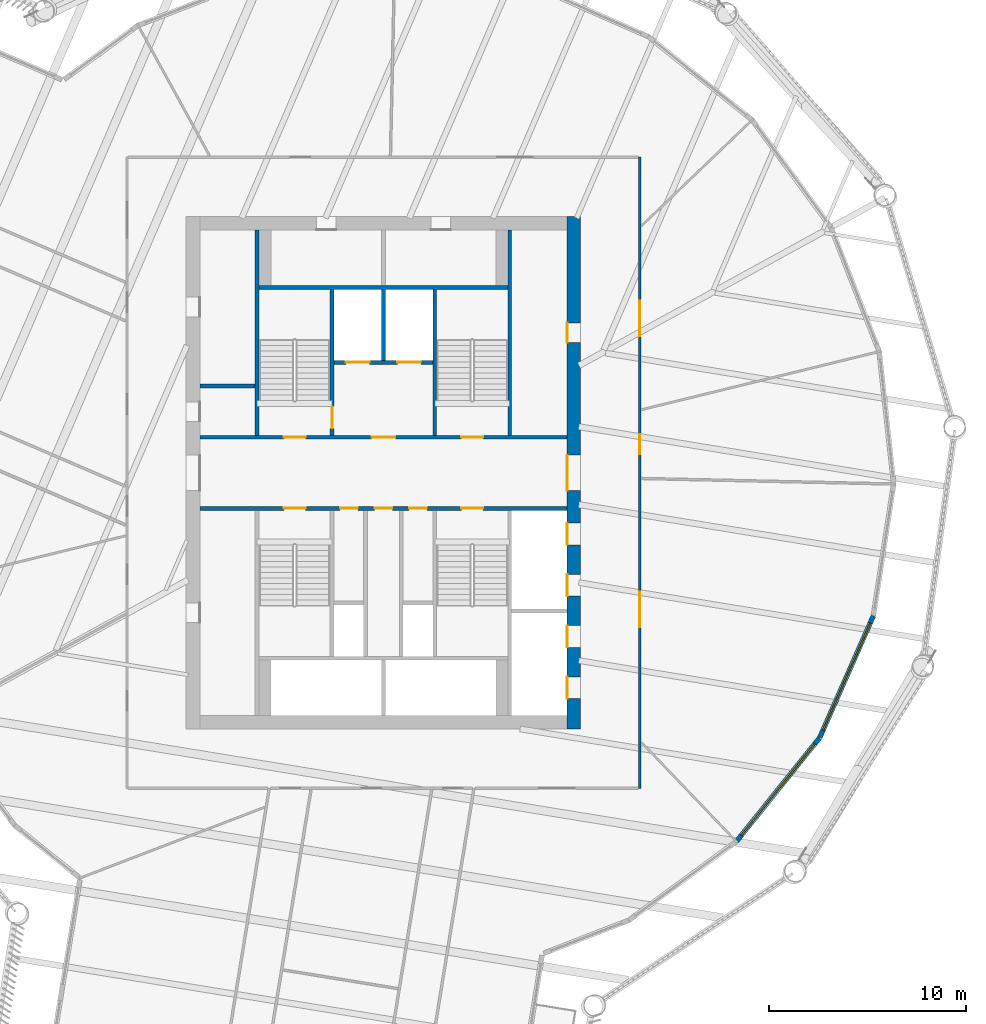
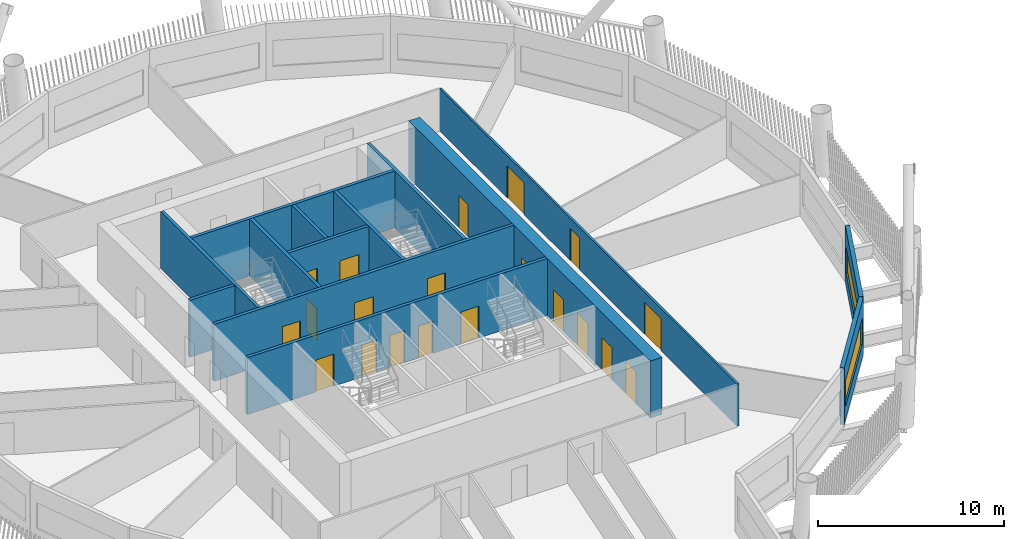
# One storey, part 5 of 22: 20 doors, 14 walls, 2 windows, 22 openings.
"""IFC4 building model written with IfcOpenShell, lengths in metres."""

from ifc_helpers import new_model, si_unit, direction, frame, frame_2d, origin, place, context, subcontext, project, spatial, rectangle, extrude, material, layer, layer_set, type_object, element, fill, save


model = new_model("IFC4")

# Units and contexts
model_context = context("Model", 3, precision=1e-05, world=origin(), true_north=direction((0.0, 1.0)))
body_context = subcontext(model_context, "Body", "Model", "MODEL_VIEW")
ifc_project = project(units=[si_unit("LENGTHUNIT", "METRE"), si_unit("AREAUNIT", "SQUARE_METRE"), si_unit("VOLUMEUNIT", "CUBIC_METRE"), si_unit("PLANEANGLEUNIT", "RADIAN"), si_unit("MASSUNIT", "GRAM", prefix="KILO")], contexts=[model_context])

# Site, building, storey
site_placement = place(None, origin())
site = spatial("IfcSite", under=ifc_project, at=site_placement, CompositionType="ELEMENT")
building_placement = place(site_placement, origin())
building = spatial("IfcBuilding", under=site, at=building_placement, Name="Tarsis Ring Headquarters", CompositionType="ELEMENT")
storey_placement = place(building_placement, frame((0.0, 0.0, 186.60009765625)))
storey = spatial("IfcBuildingStorey", under=building, at=storey_placement, Name="L43", CompositionType="ELEMENT", Elevation=186.60009765625)

# Wall
ifc_material_1 = material(Name="Blockwork", Category="masonry")
ifc_layer_1 = layer(ifc_material_1, 0.199951171875)
ifc_layer_set_1 = layer_set([ifc_layer_1], Name="Core blockwork wall 200")
wall_type_1 = type_object("IfcWallType", Name="Core blockwork wall 200", PredefinedType="PARTITIONING", material=ifc_layer_set_1)
wall_1_placement = place(storey_placement, frame((-9.300048828125, 4.39990234375, 0.0), z_axis=(0.0, 0.0, 1.0), x_axis=(1.0, 0.0, 0.0)))
element("IfcWall", 1, at=wall_1_placement, inside=storey, type_object=wall_type_1, Name="Core partition WD5", PredefinedType="PARTITIONING", context=body_context, shape_type="SweptSolid", body=[
    extrude(rectangle(XDim=2.800048828125, YDim=0.199951171875, at=frame_2d((1.39990234375, 0.0))), origin(), (0.0, 0.0, 1.0), 3.739990234375),
])

# Wall, openings, doors
ifc_material_2 = material(Name="Concrete C60/75", Category="concrete")
ifc_layer_2 = layer(ifc_material_2, 0.699951171875)
ifc_layer_set_2 = layer_set([ifc_layer_2], Name="Core wall 700 C60/75")
wall_type_2 = type_object("IfcWallType", Name="Core wall 700 C60/75", PredefinedType="SHEAR", material=ifc_layer_set_2)
wall_2_placement = place(storey_placement, frame((9.64990234375, -13.0, 0.0), z_axis=(0.0, 0.0, 1.0), x_axis=(0.0, 1.0, 0.0)))
wall_2 = element("IfcWall", 2, at=wall_2_placement, inside=storey, type_object=wall_type_2, Name="Core wall OE", PredefinedType="SHEAR", context=body_context, shape_type="SweptSolid", body=[
    extrude(rectangle(XDim=26.0, YDim=0.699951171875, at=frame_2d((13.0, 0.0))), origin(), (0.0, 0.0, 1.0), 3.739990234375),
])
opening_1_placement = place(wall_2_placement, frame((1.550048828125, 0.0, 0.0)))
opening_1 = element("IfcOpeningElement", 3, at=opening_1_placement, cuts=wall_2, Name="Opening LD-MR1", PredefinedType="OPENING", context=body_context, shape_type="SweptSolid", body=[
    extrude(rectangle(XDim=1.10009765625, YDim=2.10009765625, at=frame_2d((0.550048828125, 1.050048828125))), frame((0.0, 0.35986328125, 0.0), z_axis=(0.0, -1.0, 0.0), x_axis=(1.0, 0.0, 0.0)), (0.0, 0.0, 1.0), 0.719970703125),
])
opening_2_placement = place(wall_2_placement, frame((4.14990234375, 0.0, 0.0)))
opening_2 = element("IfcOpeningElement", 4, at=opening_2_placement, cuts=wall_2, Name="Opening LD-MR2", PredefinedType="OPENING", context=body_context, shape_type="SweptSolid", body=[
    extrude(rectangle(XDim=1.10009765625, YDim=2.10009765625, at=frame_2d((0.550048828125, 1.050048828125))), frame((0.0, 0.35986328125, 0.0), z_axis=(0.0, -1.0, 0.0), x_axis=(1.0, 0.0, 0.0)), (0.0, 0.0, 1.0), 0.719970703125),
])
opening_3_placement = place(wall_2_placement, frame((6.75, 0.0, 0.0)))
opening_3 = element("IfcOpeningElement", 5, at=opening_3_placement, cuts=wall_2, Name="Opening LD-MR3", PredefinedType="OPENING", context=body_context, shape_type="SweptSolid", body=[
    extrude(rectangle(XDim=1.10009765625, YDim=2.10009765625, at=frame_2d((0.550048828125, 1.050048828125))), frame((0.0, 0.35986328125, 0.0), z_axis=(0.0, -1.0, 0.0), x_axis=(1.0, 0.0, 0.0)), (0.0, 0.0, 1.0), 0.719970703125),
])
opening_4_placement = place(wall_2_placement, frame((9.35009765625, 0.0, 0.0)))
opening_4 = element("IfcOpeningElement", 6, at=opening_4_placement, cuts=wall_2, Name="Opening LD-MR4", PredefinedType="OPENING", context=body_context, shape_type="SweptSolid", body=[
    extrude(rectangle(XDim=1.10009765625, YDim=2.10009765625, at=frame_2d((0.550048828125, 1.050048828125))), frame((0.0, 0.35986328125, 0.0), z_axis=(0.0, -1.0, 0.0), x_axis=(1.0, 0.0, 0.0)), (0.0, 0.0, 1.0), 0.719970703125),
])
opening_5_placement = place(wall_2_placement, frame((12.10009765625, 0.0, 0.0)))
opening_5 = element("IfcOpeningElement", 7, at=opening_5_placement, cuts=wall_2, Name="Opening L43-C09", PredefinedType="OPENING", context=body_context, shape_type="SweptSolid", body=[
    extrude(rectangle(XDim=1.800048828125, YDim=2.10009765625, at=frame_2d((0.89990234375, 1.050048828125))), frame((0.0, 0.35986328125, 0.0), z_axis=(0.0, -1.0, 0.0), x_axis=(1.0, 0.0, 0.0)), (0.0, 0.0, 1.0), 0.719970703125),
])
opening_6_placement = place(wall_2_placement, frame((19.60009765625, 0.0, 0.0)))
opening_6 = element("IfcOpeningElement", 8, at=opening_6_placement, cuts=wall_2, Name="Opening L43-C10", PredefinedType="OPENING", context=body_context, shape_type="SweptSolid", body=[
    extrude(rectangle(XDim=1.0, YDim=2.10009765625, at=frame_2d((0.5, 1.050048828125))), frame((0.0, 0.35986328125, 0.0), z_axis=(0.0, -1.0, 0.0), x_axis=(1.0, 0.0, 0.0)), (0.0, 0.0, 1.0), 0.719970703125),
])
ifc_material_3 = material(Name="Steel S355", Category="steel")
door_type_1 = type_object("IfcDoorType", Name="Core entry door 1800x2100", OperationType="DOUBLE_DOOR_SINGLE_SWING", PredefinedType="DOOR", material=ifc_material_3)
door_1_placement = place(opening_5_placement, origin())
door_1 = element("IfcDoor", 9, at=door_1_placement, inside=storey, type_object=door_type_1, Name="Core entry door L43", OperationType="DOUBLE_DOOR_SINGLE_SWING", OverallHeight=2.10009765625, OverallWidth=1.800048828125, PredefinedType="DOOR", context=body_context, shape_type="SweptSolid", body=[
    extrude(rectangle(XDim=1.800048828125, YDim=2.10009765625, at=frame_2d((0.89990234375, 1.050048828125))), frame((0.0, 0.35009765625, 0.0), z_axis=(0.0, -1.0, 0.0), x_axis=(1.0, 0.0, 0.0)), (0.0, 0.0, 1.0), 0.050048828125),
])
fill(opening_5, door_1)
door_type_2 = type_object("IfcDoorType", Name="Core room door 1000x2100", OperationType="SINGLE_SWING_LEFT", PredefinedType="DOOR", material=ifc_material_3)
door_2_placement = place(opening_6_placement, origin())
door_2 = element("IfcDoor", 10, at=door_2_placement, inside=storey, type_object=door_type_2, Name="Core room door L43", OperationType="SINGLE_SWING_LEFT", OverallHeight=2.10009765625, OverallWidth=1.0, PredefinedType="DOOR", context=body_context, shape_type="SweptSolid", body=[
    extrude(rectangle(XDim=1.0, YDim=2.10009765625, at=frame_2d((0.5, 1.050048828125))), frame((0.0, 0.35009765625, 0.0), z_axis=(0.0, -1.0, 0.0), x_axis=(1.0, 0.0, 0.0)), (0.0, 0.0, 1.0), 0.050048828125),
])
fill(opening_6, door_2)
door_type_3 = type_object("IfcDoorType", Name="Landing door 1100x2100", OperationType="SLIDING_TO_LEFT", PredefinedType="DOOR", material=ifc_material_3)
door_3_placement = place(opening_1_placement, origin())
door_3 = element("IfcDoor", 11, at=door_3_placement, inside=storey, type_object=door_type_3, Name="Landing door MR1 L43", OperationType="SLIDING_TO_LEFT", OverallHeight=2.10009765625, OverallWidth=1.10009765625, PredefinedType="DOOR", context=body_context, shape_type="SweptSolid", body=[
    extrude(rectangle(XDim=1.10009765625, YDim=2.10009765625, at=frame_2d((0.550048828125, 1.050048828125))), frame((0.0, 0.35009765625, 0.0), z_axis=(0.0, -1.0, 0.0), x_axis=(1.0, 0.0, 0.0)), (0.0, 0.0, 1.0), 0.050048828125),
])
fill(opening_1, door_3)
door_4_placement = place(opening_2_placement, origin())
door_4 = element("IfcDoor", 12, at=door_4_placement, inside=storey, type_object=door_type_3, Name="Landing door MR2 L43", OperationType="SLIDING_TO_LEFT", OverallHeight=2.10009765625, OverallWidth=1.10009765625, PredefinedType="DOOR", context=body_context, shape_type="SweptSolid", body=[
    extrude(rectangle(XDim=1.10009765625, YDim=2.10009765625, at=frame_2d((0.550048828125, 1.050048828125))), frame((0.0, 0.35009765625, 0.0), z_axis=(0.0, -1.0, 0.0), x_axis=(1.0, 0.0, 0.0)), (0.0, 0.0, 1.0), 0.050048828125),
])
fill(opening_2, door_4)
door_5_placement = place(opening_3_placement, origin())
door_5 = element("IfcDoor", 13, at=door_5_placement, inside=storey, type_object=door_type_3, Name="Landing door MR3 L43", OperationType="SLIDING_TO_LEFT", OverallHeight=2.10009765625, OverallWidth=1.10009765625, PredefinedType="DOOR", context=body_context, shape_type="SweptSolid", body=[
    extrude(rectangle(XDim=1.10009765625, YDim=2.10009765625, at=frame_2d((0.550048828125, 1.050048828125))), frame((0.0, 0.35009765625, 0.0), z_axis=(0.0, -1.0, 0.0), x_axis=(1.0, 0.0, 0.0)), (0.0, 0.0, 1.0), 0.050048828125),
])
fill(opening_3, door_5)
door_6_placement = place(opening_4_placement, origin())
door_6 = element("IfcDoor", 14, at=door_6_placement, inside=storey, type_object=door_type_3, Name="Landing door MR4 L43", OperationType="SLIDING_TO_LEFT", OverallHeight=2.10009765625, OverallWidth=1.10009765625, PredefinedType="DOOR", context=body_context, shape_type="SweptSolid", body=[
    extrude(rectangle(XDim=1.10009765625, YDim=2.10009765625, at=frame_2d((0.550048828125, 1.050048828125))), frame((0.0, 0.35009765625, 0.0), z_axis=(0.0, -1.0, 0.0), x_axis=(1.0, 0.0, 0.0)), (0.0, 0.0, 1.0), 0.050048828125),
])
fill(opening_4, door_6)

ifc_material_4 = material(Name="Gypsum board on steel studs", Category="steel")
ifc_layer_3 = layer(ifc_material_4, 0.125)
ifc_layer_set_3 = layer_set([ifc_layer_3], Name="FL partition 125 EI 60 H2770")
wall_type_3 = type_object("IfcWallType", Name="FL partition 125 EI 60 H2770", PredefinedType="PARTITIONING", material=ifc_layer_set_3)
wall_3_placement = place(storey_placement, frame((13.0, -15.998046875, 0.0), z_axis=(0.0, 0.0, 1.0), x_axis=(0.0, 1.0, 0.0)))
wall_3 = element("IfcWall", 15, at=wall_3_placement, inside=storey, type_object=wall_type_3, Name="Partition PW1", PredefinedType="PARTITIONING", context=body_context, shape_type="SweptSolid", body=[
    extrude(rectangle(XDim=31.998046875, YDim=0.125, at=frame_2d((15.9990234375, 0.0))), origin(), (0.0, 0.0, 1.0), 2.77001953125),
])
opening_7_placement = place(wall_3_placement, frame((22.90771484375, 0.0, 0.0)))
opening_7 = element("IfcOpeningElement", 16, at=opening_7_placement, cuts=wall_3, Name="Opening D43.06", PredefinedType="OPENING", context=body_context, shape_type="SweptSolid", body=[
    extrude(rectangle(XDim=1.800048828125, YDim=2.10009765625, at=frame_2d((0.89990234375, 1.050048828125))), frame((0.0, 0.072509765625, 0.0), z_axis=(0.0, -1.0, 0.0), x_axis=(1.0, 0.0, 0.0)), (0.0, 0.0, 1.0), 0.14501953125),
])
opening_8_placement = place(wall_3_placement, frame((16.9443359375, 0.0, 0.0)))
opening_8 = element("IfcOpeningElement", 17, at=opening_8_placement, cuts=wall_3, Name="Opening D43.07", PredefinedType="OPENING", context=body_context, shape_type="SweptSolid", body=[
    extrude(rectangle(XDim=1.0, YDim=2.10009765625, at=frame_2d((0.5, 1.050048828125))), frame((0.0, 0.072509765625, 0.0), z_axis=(0.0, -1.0, 0.0), x_axis=(1.0, 0.0, 0.0)), (0.0, 0.0, 1.0), 0.14501953125),
])
opening_9_placement = place(wall_3_placement, frame((8.16259765625, 0.0, 0.0)))
opening_9 = element("IfcOpeningElement", 18, at=opening_9_placement, cuts=wall_3, Name="Opening D43.08", PredefinedType="OPENING", context=body_context, shape_type="SweptSolid", body=[
    extrude(rectangle(XDim=1.800048828125, YDim=2.10009765625, at=frame_2d((0.89990234375, 1.050048828125))), frame((0.0, 0.072509765625, 0.0), z_axis=(0.0, -1.0, 0.0), x_axis=(1.0, 0.0, 0.0)), (0.0, 0.0, 1.0), 0.14501953125),
])
ifc_material_5 = material(Name="Fire-rated timber door leaf in steel frame", Category="steel")
door_type_4 = type_object("IfcDoorType", Name="FL door FD60-1000", OperationType="NOTDEFINED", PredefinedType="DOOR", material=ifc_material_5)
door_7_placement = place(opening_8_placement, origin())
door_7 = element("IfcDoor", 19, at=door_7_placement, inside=storey, type_object=door_type_4, Name="Door D43.07", OperationType="SINGLE_SWING_RIGHT", OverallHeight=2.10009765625, OverallWidth=1.0, PredefinedType="DOOR", context=body_context, shape_type="SweptSolid", body=[
    extrude(rectangle(XDim=1.0, YDim=2.10009765625, at=frame_2d((0.5, 1.050048828125))), frame((0.0, 0.02490234375, 0.0), z_axis=(0.0, -1.0, 0.0), x_axis=(1.0, 0.0, 0.0)), (0.0, 0.0, 1.0), 0.050048828125),
])
fill(opening_8, door_7)
door_type_5 = type_object("IfcDoorType", Name="FL door FD60-1800", OperationType="DOUBLE_DOOR_SINGLE_SWING", PredefinedType="DOOR", material=ifc_material_5)
door_8_placement = place(opening_7_placement, origin())
door_8 = element("IfcDoor", 20, at=door_8_placement, inside=storey, type_object=door_type_5, Name="Door D43.06", OperationType="DOUBLE_DOOR_SINGLE_SWING", OverallHeight=2.10009765625, OverallWidth=1.800048828125, PredefinedType="DOOR", context=body_context, shape_type="SweptSolid", body=[
    extrude(rectangle(XDim=1.800048828125, YDim=2.10009765625, at=frame_2d((0.89990234375, 1.050048828125))), frame((0.0, 0.02490234375, 0.0), z_axis=(0.0, -1.0, 0.0), x_axis=(1.0, 0.0, 0.0)), (0.0, 0.0, 1.0), 0.050048828125),
])
fill(opening_7, door_8)
door_9_placement = place(opening_9_placement, origin())
door_9 = element("IfcDoor", 21, at=door_9_placement, inside=storey, type_object=door_type_5, Name="Door D43.08", OperationType="DOUBLE_DOOR_SINGLE_SWING", OverallHeight=2.10009765625, OverallWidth=1.800048828125, PredefinedType="DOOR", context=body_context, shape_type="SweptSolid", body=[
    extrude(rectangle(XDim=1.800048828125, YDim=2.10009765625, at=frame_2d((0.89990234375, 1.050048828125))), frame((0.0, 0.02490234375, 0.0), z_axis=(0.0, -1.0, 0.0), x_axis=(1.0, 0.0, 0.0)), (0.0, 0.0, 1.0), 0.050048828125),
])
fill(opening_9, door_9)

# Wall, opening, window
ifc_material_6 = material(Name="Terracotta clad insulated panel wall", Category="masonry")
ifc_layer_4 = layer(ifc_material_6, 0.25)
ifc_layer_set_4 = layer_set([ifc_layer_4], Name="Facade wall terracotta panel 250")
wall_type_4 = type_object("IfcWallType", Name="Facade wall terracotta panel 250", PredefinedType="STANDARD", material=ifc_layer_set_4)
wall_4_placement = place(storey_placement, frame((17.899169921875, -18.6806640625, 0.0), z_axis=(0.0, 0.0, 1.0), x_axis=(0.626058410892, 0.779776164134, 0.0)))
wall_4 = element("IfcWall", 22, at=wall_4_placement, inside=storey, type_object=wall_type_4, Name="External wall L43-19", PredefinedType="STANDARD", context=body_context, shape_type="SweptSolid", body=[
    extrude(rectangle(XDim=6.721435546875, YDim=0.25, at=frame_2d((3.36083984375, 0.0))), origin(), (0.0, 0.0, 1.0), 3.739990234375),
])
opening_10_placement = place(wall_4_placement, frame((0.3857421875, 0.0, 0.89990234375)))
opening_10 = element("IfcOpeningElement", 23, at=opening_10_placement, cuts=wall_4, Name="Opening WN07", PredefinedType="OPENING", context=body_context, shape_type="SweptSolid", body=[
    extrude(rectangle(XDim=5.949951171875, YDim=1.699951171875, at=frame_2d((2.97509765625, 0.85009765625))), frame((0.0, 0.135009765625, 0.0), z_axis=(0.0, -1.0, 0.0), x_axis=(1.0, 0.0, 0.0)), (0.0, 0.0, 1.0), 0.27001953125),
])
ifc_material_7 = material(Name="Aluminium framed double glazing", Category="aluminium")
window_type = type_object("IfcWindowType", Name="Facade window 5950 x 1700", PartitioningType="SINGLE_PANEL", PredefinedType="WINDOW", material=ifc_material_7)
window_1_placement = place(opening_10_placement, origin())
window_1 = element("IfcWindow", 24, at=window_1_placement, inside=storey, type_object=window_type, Name="Window L43-19.1", OverallHeight=1.699951171875, OverallWidth=5.949951171875, PartitioningType="SINGLE_PANEL", PredefinedType="WINDOW", context=body_context, shape_type="SweptSolid", body=[
    extrude(rectangle(XDim=5.949951171875, YDim=1.699951171875, at=frame_2d((2.97509765625, 0.85009765625))), frame((0.0, 0.030029296875, 0.0), z_axis=(0.0, -1.0, 0.0), x_axis=(1.0, 0.0, 0.0)), (0.0, 0.0, 1.0), 0.06005859375),
])
fill(opening_10, window_1)

wall_5_placement = place(storey_placement, frame((22.124267578125, -13.411376953125, 0.0), z_axis=(0.0, 0.0, 1.0), x_axis=(0.402900505701, 0.915243783101, 0.0)))
wall_5 = element("IfcWall", 25, at=wall_5_placement, inside=storey, type_object=wall_type_4, Name="External wall L43-20", PredefinedType="STANDARD", context=body_context, shape_type="SweptSolid", body=[
    extrude(rectangle(XDim=6.72119140625, YDim=0.25, at=frame_2d((3.360595703125, 0.0))), origin(), (0.0, 0.0, 1.0), 3.739990234375),
])
opening_11_placement = place(wall_5_placement, frame((0.3857421875, 0.0, 0.89990234375)))
opening_11 = element("IfcOpeningElement", 26, at=opening_11_placement, cuts=wall_5, Name="Opening WN07", PredefinedType="OPENING", context=body_context, shape_type="SweptSolid", body=[
    extrude(rectangle(XDim=5.949951171875, YDim=1.699951171875, at=frame_2d((2.97509765625, 0.85009765625))), frame((0.0, 0.135009765625, 0.0), z_axis=(0.0, -1.0, 0.0), x_axis=(1.0, 0.0, 0.0)), (0.0, 0.0, 1.0), 0.27001953125),
])
window_2_placement = place(opening_11_placement, origin())
window_2 = element("IfcWindow", 27, at=window_2_placement, inside=storey, type_object=window_type, Name="Window L43-20.1", OverallHeight=1.699951171875, OverallWidth=5.949951171875, PartitioningType="SINGLE_PANEL", PredefinedType="WINDOW", context=body_context, shape_type="SweptSolid", body=[
    extrude(rectangle(XDim=5.949951171875, YDim=1.699951171875, at=frame_2d((2.97509765625, 0.85009765625))), frame((0.0, 0.030029296875, 0.0), z_axis=(0.0, -1.0, 0.0), x_axis=(1.0, 0.0, 0.0)), (0.0, 0.0, 1.0), 0.06005859375),
])
fill(opening_11, window_2)

# Wall, openings, doors
ifc_material_8 = material(Name="Concrete C32/40", Category="concrete")
ifc_layer_5 = layer(ifc_material_8, 0.199951171875)
ifc_layer_set_5 = layer_set([ifc_layer_5], Name="Shaft wall 200 C32/40")
wall_type_5 = type_object("IfcWallType", Name="Shaft wall 200 C32/40", PredefinedType="SOLIDWALL", material=ifc_layer_set_5)
wall_6_placement = place(storey_placement, frame((-9.300048828125, 1.800048828125, 0.0), z_axis=(0.0, 0.0, 1.0), x_axis=(1.0, 0.0, 0.0)))
wall_6 = element("IfcWall", 28, at=wall_6_placement, inside=storey, type_object=wall_type_5, Name="Core shaft wall CN", PredefinedType="SOLIDWALL", context=body_context, shape_type="SweptSolid", body=[
    extrude(rectangle(XDim=18.60009765625, YDim=0.199951171875, at=frame_2d((9.300048828125, 0.0))), origin(), (0.0, 0.0, 1.0), 3.739990234375),
])
opening_12_placement = place(wall_6_placement, frame((4.25, 0.0, 0.0)))
opening_12 = element("IfcOpeningElement", 29, at=opening_12_placement, cuts=wall_6, Name="Opening L43-C13", PredefinedType="OPENING", context=body_context, shape_type="SweptSolid", body=[
    extrude(rectangle(XDim=1.10009765625, YDim=2.10009765625, at=frame_2d((0.550048828125, 1.050048828125))), frame((0.0, 0.10986328125, 0.0), z_axis=(0.0, -1.0, 0.0), x_axis=(1.0, 0.0, 0.0)), (0.0, 0.0, 1.0), 0.219970703125),
])
opening_13_placement = place(wall_6_placement, frame((8.699951171875, 0.0, 0.0)))
opening_13 = element("IfcOpeningElement", 30, at=opening_13_placement, cuts=wall_6, Name="Opening L43-C14", PredefinedType="OPENING", context=body_context, shape_type="SweptSolid", body=[
    extrude(rectangle(XDim=1.199951171875, YDim=2.10009765625, at=frame_2d((0.60009765625, 1.050048828125))), frame((0.0, 0.10986328125, 0.0), z_axis=(0.0, -1.0, 0.0), x_axis=(1.0, 0.0, 0.0)), (0.0, 0.0, 1.0), 0.219970703125),
])
opening_14_placement = place(wall_6_placement, frame((13.25, 0.0, 0.0)))
opening_14 = element("IfcOpeningElement", 31, at=opening_14_placement, cuts=wall_6, Name="Opening L43-C15", PredefinedType="OPENING", context=body_context, shape_type="SweptSolid", body=[
    extrude(rectangle(XDim=1.10009765625, YDim=2.10009765625, at=frame_2d((0.550048828125, 1.050048828125))), frame((0.0, 0.10986328125, 0.0), z_axis=(0.0, -1.0, 0.0), x_axis=(1.0, 0.0, 0.0)), (0.0, 0.0, 1.0), 0.219970703125),
])
door_type_6 = type_object("IfcDoorType", Name="Firefighting lobby door 1200x2100", OperationType="DOUBLE_DOOR_SINGLE_SWING", PredefinedType="DOOR", material=ifc_material_3)
door_10_placement = place(opening_13_placement, origin())
door_10 = element("IfcDoor", 32, at=door_10_placement, inside=storey, type_object=door_type_6, Name="Firefighting lobby door L43", OperationType="DOUBLE_DOOR_SINGLE_SWING", OverallHeight=2.10009765625, OverallWidth=1.199951171875, PredefinedType="DOOR", context=body_context, shape_type="SweptSolid", body=[
    extrude(rectangle(XDim=1.199951171875, YDim=2.10009765625, at=frame_2d((0.60009765625, 1.050048828125))), frame((0.0, 0.02490234375, 0.0), z_axis=(0.0, -1.0, 0.0), x_axis=(1.0, 0.0, 0.0)), (0.0, 0.0, 1.0), 0.050048828125),
])
fill(opening_13, door_10)
door_type_7 = type_object("IfcDoorType", Name="Stair door 1100x2100", OperationType="SINGLE_SWING_LEFT", PredefinedType="DOOR", material=ifc_material_3)
door_11_placement = place(opening_12_placement, origin())
door_11 = element("IfcDoor", 33, at=door_11_placement, inside=storey, type_object=door_type_7, Name="Stair door L43", OperationType="SINGLE_SWING_LEFT", OverallHeight=2.10009765625, OverallWidth=1.10009765625, PredefinedType="DOOR", context=body_context, shape_type="SweptSolid", body=[
    extrude(rectangle(XDim=1.10009765625, YDim=2.10009765625, at=frame_2d((0.550048828125, 1.050048828125))), frame((0.0, 0.02490234375, 0.0), z_axis=(0.0, -1.0, 0.0), x_axis=(1.0, 0.0, 0.0)), (0.0, 0.0, 1.0), 0.050048828125),
])
fill(opening_12, door_11)
door_12_placement = place(opening_14_placement, origin())
door_12 = element("IfcDoor", 34, at=door_12_placement, inside=storey, type_object=door_type_7, Name="Stair door L43", OperationType="SINGLE_SWING_LEFT", OverallHeight=2.10009765625, OverallWidth=1.10009765625, PredefinedType="DOOR", context=body_context, shape_type="SweptSolid", body=[
    extrude(rectangle(XDim=1.10009765625, YDim=2.10009765625, at=frame_2d((0.550048828125, 1.050048828125))), frame((0.0, 0.02490234375, 0.0), z_axis=(0.0, -1.0, 0.0), x_axis=(1.0, 0.0, 0.0)), (0.0, 0.0, 1.0), 0.050048828125),
])
fill(opening_14, door_12)

wall_7_placement = place(storey_placement, frame((-9.300048828125, -1.800048828125, 0.0), z_axis=(0.0, 0.0, 1.0), x_axis=(1.0, 0.0, 0.0)))
wall_7 = element("IfcWall", 35, at=wall_7_placement, inside=storey, type_object=wall_type_5, Name="Core shaft wall CS", PredefinedType="SOLIDWALL", context=body_context, shape_type="SweptSolid", body=[
    extrude(rectangle(XDim=18.60009765625, YDim=0.199951171875, at=frame_2d((9.300048828125, 0.0))), origin(), (0.0, 0.0, 1.0), 3.739990234375),
])
opening_15_placement = place(wall_7_placement, frame((4.25, 0.0, 0.0)))
opening_15 = element("IfcOpeningElement", 36, at=opening_15_placement, cuts=wall_7, Name="Opening L43-C16", PredefinedType="OPENING", context=body_context, shape_type="SweptSolid", body=[
    extrude(rectangle(XDim=1.10009765625, YDim=2.10009765625, at=frame_2d((0.550048828125, 1.050048828125))), frame((0.0, 0.10986328125, 0.0), z_axis=(0.0, -1.0, 0.0), x_axis=(1.0, 0.0, 0.0)), (0.0, 0.0, 1.0), 0.219970703125),
])
opening_16_placement = place(wall_7_placement, frame((7.10009765625, 0.0, 0.0)))
opening_16 = element("IfcOpeningElement", 37, at=opening_16_placement, cuts=wall_7, Name="Opening L43-C17", PredefinedType="OPENING", context=body_context, shape_type="SweptSolid", body=[
    extrude(rectangle(XDim=0.89990234375, YDim=2.10009765625, at=frame_2d((0.449951171875, 1.050048828125))), frame((0.0, 0.10986328125, 0.0), z_axis=(0.0, -1.0, 0.0), x_axis=(1.0, 0.0, 0.0)), (0.0, 0.0, 1.0), 0.219970703125),
])
opening_17_placement = place(wall_7_placement, frame((8.85009765625, 0.0, 0.0)))
opening_17 = element("IfcOpeningElement", 38, at=opening_17_placement, cuts=wall_7, Name="Opening L43-C18", PredefinedType="OPENING", context=body_context, shape_type="SweptSolid", body=[
    extrude(rectangle(XDim=0.89990234375, YDim=2.10009765625, at=frame_2d((0.449951171875, 1.050048828125))), frame((0.0, 0.10986328125, 0.0), z_axis=(0.0, -1.0, 0.0), x_axis=(1.0, 0.0, 0.0)), (0.0, 0.0, 1.0), 0.219970703125),
])
opening_18_placement = place(wall_7_placement, frame((10.60009765625, 0.0, 0.0)))
opening_18 = element("IfcOpeningElement", 39, at=opening_18_placement, cuts=wall_7, Name="Opening L43-C19", PredefinedType="OPENING", context=body_context, shape_type="SweptSolid", body=[
    extrude(rectangle(XDim=0.89990234375, YDim=2.10009765625, at=frame_2d((0.449951171875, 1.050048828125))), frame((0.0, 0.10986328125, 0.0), z_axis=(0.0, -1.0, 0.0), x_axis=(1.0, 0.0, 0.0)), (0.0, 0.0, 1.0), 0.219970703125),
])
opening_19_placement = place(wall_7_placement, frame((13.25, 0.0, 0.0)))
opening_19 = element("IfcOpeningElement", 40, at=opening_19_placement, cuts=wall_7, Name="Opening L43-C20", PredefinedType="OPENING", context=body_context, shape_type="SweptSolid", body=[
    extrude(rectangle(XDim=1.10009765625, YDim=2.10009765625, at=frame_2d((0.550048828125, 1.050048828125))), frame((0.0, 0.10986328125, 0.0), z_axis=(0.0, -1.0, 0.0), x_axis=(1.0, 0.0, 0.0)), (0.0, 0.0, 1.0), 0.219970703125),
])
door_13_placement = place(opening_15_placement, origin())
door_13 = element("IfcDoor", 41, at=door_13_placement, inside=storey, type_object=door_type_7, Name="Stair door L43", OperationType="SINGLE_SWING_LEFT", OverallHeight=2.10009765625, OverallWidth=1.10009765625, PredefinedType="DOOR", context=body_context, shape_type="SweptSolid", body=[
    extrude(rectangle(XDim=1.10009765625, YDim=2.10009765625, at=frame_2d((0.550048828125, 1.050048828125))), frame((0.0, 0.02490234375, 0.0), z_axis=(0.0, -1.0, 0.0), x_axis=(1.0, 0.0, 0.0)), (0.0, 0.0, 1.0), 0.050048828125),
])
fill(opening_15, door_13)
door_14_placement = place(opening_19_placement, origin())
door_14 = element("IfcDoor", 42, at=door_14_placement, inside=storey, type_object=door_type_7, Name="Stair door L43", OperationType="SINGLE_SWING_LEFT", OverallHeight=2.10009765625, OverallWidth=1.10009765625, PredefinedType="DOOR", context=body_context, shape_type="SweptSolid", body=[
    extrude(rectangle(XDim=1.10009765625, YDim=2.10009765625, at=frame_2d((0.550048828125, 1.050048828125))), frame((0.0, 0.02490234375, 0.0), z_axis=(0.0, -1.0, 0.0), x_axis=(1.0, 0.0, 0.0)), (0.0, 0.0, 1.0), 0.050048828125),
])
fill(opening_19, door_14)
door_type_8 = type_object("IfcDoorType", Name="WC door 900x2100", OperationType="SINGLE_SWING_LEFT", PredefinedType="DOOR", material=ifc_material_3)
door_15_placement = place(opening_16_placement, origin())
door_15 = element("IfcDoor", 43, at=door_15_placement, inside=storey, type_object=door_type_8, Name="WC door L43", OperationType="SINGLE_SWING_LEFT", OverallHeight=2.10009765625, OverallWidth=0.89990234375, PredefinedType="DOOR", context=body_context, shape_type="SweptSolid", body=[
    extrude(rectangle(XDim=0.89990234375, YDim=2.10009765625, at=frame_2d((0.449951171875, 1.050048828125))), frame((0.0, 0.02490234375, 0.0), z_axis=(0.0, -1.0, 0.0), x_axis=(1.0, 0.0, 0.0)), (0.0, 0.0, 1.0), 0.050048828125),
])
fill(opening_16, door_15)
door_16_placement = place(opening_17_placement, origin())
door_16 = element("IfcDoor", 44, at=door_16_placement, inside=storey, type_object=door_type_8, Name="WC door L43", OperationType="SINGLE_SWING_LEFT", OverallHeight=2.10009765625, OverallWidth=0.89990234375, PredefinedType="DOOR", context=body_context, shape_type="SweptSolid", body=[
    extrude(rectangle(XDim=0.89990234375, YDim=2.10009765625, at=frame_2d((0.449951171875, 1.050048828125))), frame((0.0, 0.02490234375, 0.0), z_axis=(0.0, -1.0, 0.0), x_axis=(1.0, 0.0, 0.0)), (0.0, 0.0, 1.0), 0.050048828125),
])
fill(opening_17, door_16)
door_17_placement = place(opening_18_placement, origin())
door_17 = element("IfcDoor", 45, at=door_17_placement, inside=storey, type_object=door_type_8, Name="WC door L43", OperationType="SINGLE_SWING_LEFT", OverallHeight=2.10009765625, OverallWidth=0.89990234375, PredefinedType="DOOR", context=body_context, shape_type="SweptSolid", body=[
    extrude(rectangle(XDim=0.89990234375, YDim=2.10009765625, at=frame_2d((0.449951171875, 1.050048828125))), frame((0.0, 0.02490234375, 0.0), z_axis=(0.0, -1.0, 0.0), x_axis=(1.0, 0.0, 0.0)), (0.0, 0.0, 1.0), 0.050048828125),
])
fill(opening_18, door_17)

# Walls
for number, where, z_axis, x_axis, name in (
    (46, (-6.39990234375, 1.89990234375, 0.0), (0.0, 0.0, 1.0), (0.0, 1.0, 0.0), "Core shaft wall WB2"),
    (47, (6.39990234375, 1.89990234375, 0.0), (0.0, 0.0, 1.0), (0.0, 1.0, 0.0), "Core shaft wall EB2"),
):
    element("IfcWall", number, at=place(storey_placement, frame(where, z_axis=z_axis, x_axis=x_axis)), inside=storey, type_object=wall_type_5, Name=name, PredefinedType="SOLIDWALL", context=body_context, shape_type="SweptSolid", body=[
        extrude(rectangle(XDim=10.400146484375, YDim=0.199951171875, at=frame_2d((5.2001953125, 0.0))), origin(), (0.0, 0.0, 1.0), 3.739990234375),
    ])
wall_8_placement = place(storey_placement, frame((-6.300048828125, 9.39990234375, 0.0), z_axis=(0.0, 0.0, 1.0), x_axis=(1.0, 0.0, 0.0)))
element("IfcWall", 48, at=wall_8_placement, inside=storey, type_object=wall_type_5, Name="Core shaft wall NB", PredefinedType="SOLIDWALL", context=body_context, shape_type="SweptSolid", body=[
    extrude(rectangle(XDim=12.60009765625, YDim=0.199951171875, at=frame_2d((6.300048828125, 0.0))), origin(), (0.0, 0.0, 1.0), 3.739990234375),
])

# Wall, opening, door
wall_9_placement = place(storey_placement, frame((-2.60009765625, 1.89990234375, 0.0), z_axis=(0.0, 0.0, 1.0), x_axis=(0.0, 1.0, 0.0)))
wall_9 = element("IfcWall", 49, at=wall_9_placement, inside=storey, type_object=wall_type_5, Name="Core shaft wall SW1", PredefinedType="SOLIDWALL", context=body_context, shape_type="SweptSolid", body=[
    extrude(rectangle(XDim=7.400146484375, YDim=0.199951171875, at=frame_2d((3.7001953125, 0.0))), origin(), (0.0, 0.0, 1.0), 3.739990234375),
])
opening_20_placement = place(wall_9_placement, frame((0.35009765625, 0.0, 0.0)))
opening_20 = element("IfcOpeningElement", 50, at=opening_20_placement, cuts=wall_9, Name="Opening L43-C21", PredefinedType="OPENING", context=body_context, shape_type="SweptSolid", body=[
    extrude(rectangle(XDim=1.10009765625, YDim=2.10009765625, at=frame_2d((0.550048828125, 1.050048828125))), frame((0.0, 0.10986328125, 0.0), z_axis=(0.0, -1.0, 0.0), x_axis=(1.0, 0.0, 0.0)), (0.0, 0.0, 1.0), 0.219970703125),
])
door_18_placement = place(opening_20_placement, origin())
door_18 = element("IfcDoor", 51, at=door_18_placement, inside=storey, type_object=door_type_7, Name="Stair door L43", OperationType="SINGLE_SWING_LEFT", OverallHeight=2.10009765625, OverallWidth=1.10009765625, PredefinedType="DOOR", context=body_context, shape_type="SweptSolid", body=[
    extrude(rectangle(XDim=1.10009765625, YDim=2.10009765625, at=frame_2d((0.550048828125, 1.050048828125))), frame((0.0, 0.02490234375, 0.0), z_axis=(0.0, -1.0, 0.0), x_axis=(1.0, 0.0, 0.0)), (0.0, 0.0, 1.0), 0.050048828125),
])
fill(opening_20, door_18)

# Wall
wall_10_placement = place(storey_placement, frame((2.60009765625, 1.89990234375, 0.0), z_axis=(0.0, 0.0, 1.0), x_axis=(0.0, 1.0, 0.0)))
element("IfcWall", 52, at=wall_10_placement, inside=storey, type_object=wall_type_5, Name="Core shaft wall SW2", PredefinedType="SOLIDWALL", context=body_context, shape_type="SweptSolid", body=[
    extrude(rectangle(XDim=7.400146484375, YDim=0.199951171875, at=frame_2d((3.7001953125, 0.0))), origin(), (0.0, 0.0, 1.0), 3.739990234375),
])

# Wall, openings, doors
wall_11_placement = place(storey_placement, frame((-2.5, 5.60009765625, 0.0), z_axis=(0.0, 0.0, 1.0), x_axis=(1.0, 0.0, 0.0)))
wall_11 = element("IfcWall", 53, at=wall_11_placement, inside=storey, type_object=wall_type_5, Name="Core shaft wall FFN", PredefinedType="SOLIDWALL", context=body_context, shape_type="SweptSolid", body=[
    extrude(rectangle(XDim=5.0, YDim=0.199951171875, at=frame_2d((2.5, 0.0))), origin(), (0.0, 0.0, 1.0), 3.739990234375),
])
opening_21_placement = place(wall_11_placement, frame((0.60009765625, 0.0, 0.0)))
opening_21 = element("IfcOpeningElement", 54, at=opening_21_placement, cuts=wall_11, Name="Opening LDF-1", PredefinedType="OPENING", context=body_context, shape_type="SweptSolid", body=[
    extrude(rectangle(XDim=1.199951171875, YDim=2.10009765625, at=frame_2d((0.60009765625, 1.050048828125))), frame((0.0, 0.10986328125, 0.0), z_axis=(0.0, -1.0, 0.0), x_axis=(1.0, 0.0, 0.0)), (0.0, 0.0, 1.0), 0.219970703125),
])
opening_22_placement = place(wall_11_placement, frame((3.199951171875, 0.0, 0.0)))
opening_22 = element("IfcOpeningElement", 55, at=opening_22_placement, cuts=wall_11, Name="Opening LDF-2", PredefinedType="OPENING", context=body_context, shape_type="SweptSolid", body=[
    extrude(rectangle(XDim=1.199951171875, YDim=2.10009765625, at=frame_2d((0.60009765625, 1.050048828125))), frame((0.0, 0.10986328125, 0.0), z_axis=(0.0, -1.0, 0.0), x_axis=(1.0, 0.0, 0.0)), (0.0, 0.0, 1.0), 0.219970703125),
])
door_type_9 = type_object("IfcDoorType", Name="Firefighting landing door 1200x2100", OperationType="SLIDING_TO_LEFT", PredefinedType="DOOR", material=ifc_material_3)
door_19_placement = place(opening_21_placement, origin())
door_19 = element("IfcDoor", 56, at=door_19_placement, inside=storey, type_object=door_type_9, Name="Landing door FF1 L43", OperationType="SLIDING_TO_LEFT", OverallHeight=2.10009765625, OverallWidth=1.199951171875, PredefinedType="DOOR", context=body_context, shape_type="SweptSolid", body=[
    extrude(rectangle(XDim=1.199951171875, YDim=2.10009765625, at=frame_2d((0.60009765625, 1.050048828125))), frame((0.0, 0.02490234375, 0.0), z_axis=(0.0, -1.0, 0.0), x_axis=(1.0, 0.0, 0.0)), (0.0, 0.0, 1.0), 0.050048828125),
])
fill(opening_21, door_19)
door_20_placement = place(opening_22_placement, origin())
door_20 = element("IfcDoor", 57, at=door_20_placement, inside=storey, type_object=door_type_9, Name="Landing door FF2 L43", OperationType="SLIDING_TO_LEFT", OverallHeight=2.10009765625, OverallWidth=1.199951171875, PredefinedType="DOOR", context=body_context, shape_type="SweptSolid", body=[
    extrude(rectangle(XDim=1.199951171875, YDim=2.10009765625, at=frame_2d((0.60009765625, 1.050048828125))), frame((0.0, 0.02490234375, 0.0), z_axis=(0.0, -1.0, 0.0), x_axis=(1.0, 0.0, 0.0)), (0.0, 0.0, 1.0), 0.050048828125),
])
fill(opening_22, door_20)

# Wall
wall_12_placement = place(storey_placement, frame((0.0, 5.699951171875, 0.0), z_axis=(0.0, 0.0, 1.0), x_axis=(0.0, 1.0, 0.0)))
element("IfcWall", 58, at=wall_12_placement, inside=storey, type_object=wall_type_5, Name="Core shaft wall FFD", PredefinedType="SOLIDWALL", context=body_context, shape_type="SweptSolid", body=[
    extrude(rectangle(XDim=3.60009765625, YDim=0.199951171875, at=frame_2d((1.800048828125, 0.0))), origin(), (0.0, 0.0, 1.0), 3.739990234375),
])

save(model, "model.ifc")
